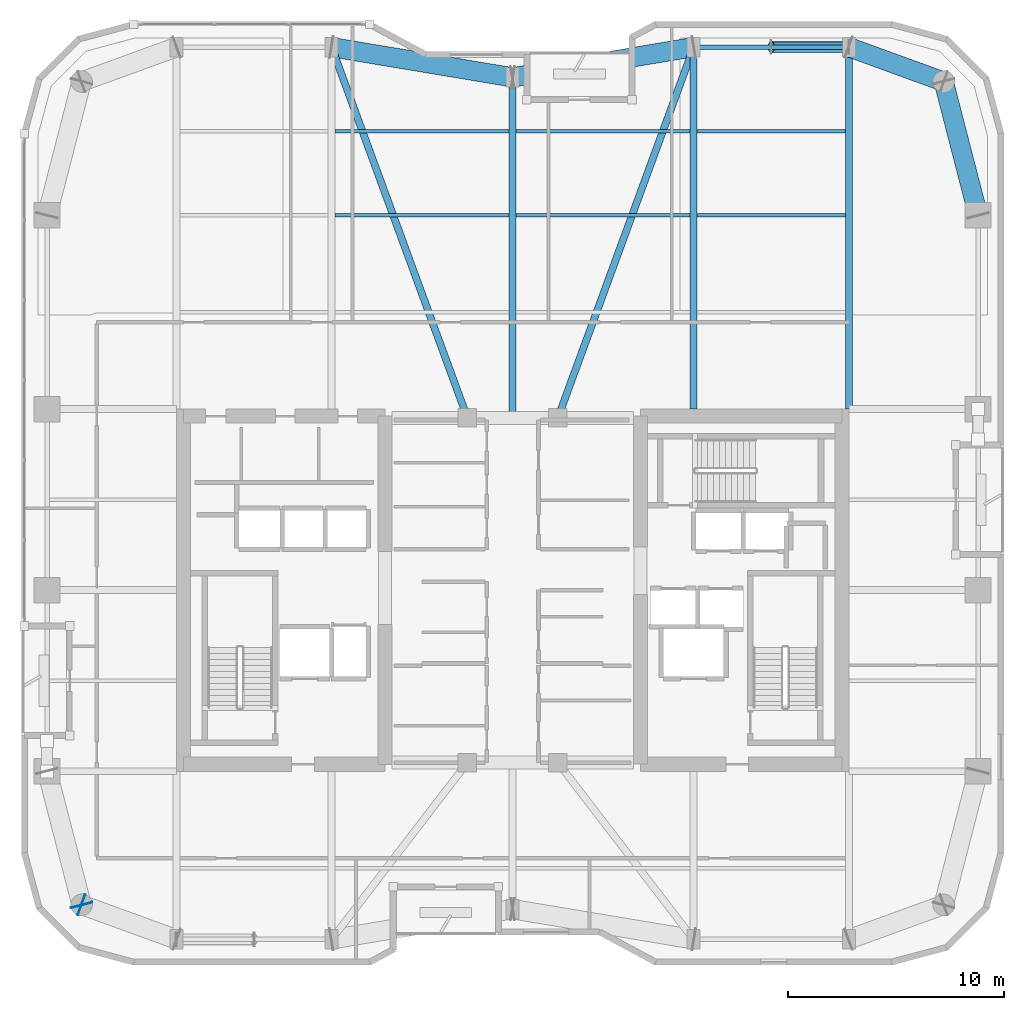
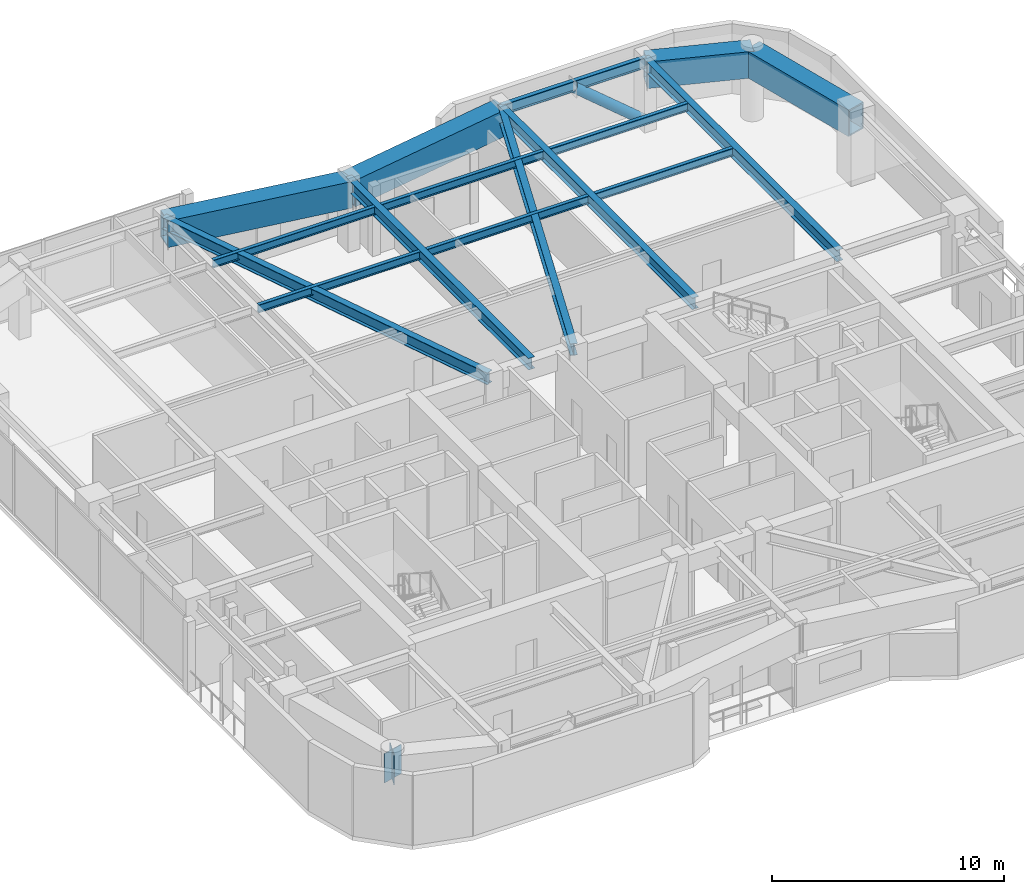
# One storey, part 11 of 21: 16 beams, 2 plates, 1 member.
"""IFC4 building model written with IfcOpenShell, lengths in metres."""

from ifc_helpers import new_model, si_unit, direction, frame, origin, origin_2d, place, context, subcontext, project, spatial, rectangle, hollow_rectangle, hollow_circle, i_section, extrude, material, layer, layer_set, material_profile, profile_set, type_object, element, save


model = new_model("IFC4")

# Units and contexts
model_context = context("Model", 3, precision=1e-05, world=origin(), true_north=direction((0.0, 1.0)))
body_context = subcontext(model_context, "Body", "Model", "MODEL_VIEW")
ifc_project = project(units=[si_unit("LENGTHUNIT", "METRE"), si_unit("AREAUNIT", "SQUARE_METRE"), si_unit("VOLUMEUNIT", "CUBIC_METRE"), si_unit("PLANEANGLEUNIT", "RADIAN"), si_unit("MASSUNIT", "GRAM", prefix="KILO")], contexts=[model_context])

# Site, building, storey
site_placement = place(None, origin())
site = spatial("IfcSite", under=ifc_project, at=site_placement, CompositionType="ELEMENT")
building_placement = place(site_placement, origin())
building = spatial("IfcBuilding", under=site, at=building_placement, Name="Kiyonajd Concourse Tower", CompositionType="ELEMENT")
storey_placement = place(building_placement, frame((0.0, 0.0, 219.300048828125)))
storey = spatial("IfcBuildingStorey", under=building, at=storey_placement, Name="L55", CompositionType="ELEMENT", Elevation=219.300048828125)

# Beams
ifc_material_1 = material(Name="Steel ASTM A992 Grade 50", Category="steel")
ifc_material_profile_1 = material_profile(ifc_material_1, i_section(OverallWidth=0.180908203125, OverallDepth=0.4169921875, WebThickness=0.010986328125, FlangeThickness=0.018310546875, at=origin_2d()), Name="W410X85")
ifc_profile_set_1 = profile_set([ifc_material_profile_1], Name="Steel ASTM A992 Grade 50")
beam_type_1 = type_object("IfcBeamType", Name="BM-JST-410", PredefinedType="JOIST", material=ifc_profile_set_1)
for number, where, z_axis, x_axis, name in (
    (1, (39.761962890625, 53.39990234375, 3.471435546875), (1.0, 0.0, 0.0), (0.0, 1.0, 0.0), "L55 Secondary Floor Joist"),
    (2, (48.162109375, 53.39990234375, 3.471435546875), (1.0, 0.0, 0.0), (0.0, 1.0, 0.0), "L55 Secondary Floor Joist"),
):
    element("IfcBeam", number, at=place(storey_placement, frame(where, z_axis=z_axis, x_axis=x_axis)), inside=storey, type_object=beam_type_1, Name=name, PredefinedType="JOIST", context=body_context, shape_type="SweptSolid", body=[
        extrude(i_section(OverallWidth=0.180908203125, OverallDepth=0.4169921875, WebThickness=0.010986328125, FlangeThickness=0.018310546875, at=origin_2d()), origin(), (0.0, 0.0, 1.0), 8.075927734375),
    ])
beam_1_placement = place(storey_placement, frame((56.56201171875, 53.39990234375, 3.471435546875), z_axis=(1.0, 0.0, 0.0), x_axis=(0.0, 1.0, 0.0)))
element("IfcBeam", 3, at=beam_1_placement, inside=storey, type_object=beam_type_1, Name="L55 Secondary Floor Joist", PredefinedType="JOIST", context=body_context, shape_type="SweptSolid", body=[
    extrude(i_section(OverallWidth=0.180908203125, OverallDepth=0.4169921875, WebThickness=0.010986328125, FlangeThickness=0.018310546875, at=origin_2d()), origin(), (0.0, 0.0, 1.0), 6.8759765625),
])
for number, where, z_axis, x_axis, name in (
    (4, (39.761962890625, 57.300048828125, 3.471435546875), (1.0, 0.0, 0.0), (0.0, 1.0, 0.0), "L55 Secondary Floor Joist"),
    (5, (48.162109375, 57.300048828125, 3.471435546875), (1.0, 0.0, 0.0), (0.0, 1.0, 0.0), "L55 Secondary Floor Joist"),
):
    element("IfcBeam", number, at=place(storey_placement, frame(where, z_axis=z_axis, x_axis=x_axis)), inside=storey, type_object=beam_type_1, Name=name, PredefinedType="JOIST", context=body_context, shape_type="SweptSolid", body=[
        extrude(i_section(OverallWidth=0.180908203125, OverallDepth=0.4169921875, WebThickness=0.010986328125, FlangeThickness=0.018310546875, at=origin_2d()), origin(), (0.0, 0.0, 1.0), 8.075927734375),
    ])
beam_2_placement = place(storey_placement, frame((56.56201171875, 57.300048828125, 3.471435546875), z_axis=(1.0, 0.0, 0.0), x_axis=(0.0, 1.0, 0.0)))
element("IfcBeam", 6, at=beam_2_placement, inside=storey, type_object=beam_type_1, Name="L55 Secondary Floor Joist", PredefinedType="JOIST", context=body_context, shape_type="SweptSolid", body=[
    extrude(i_section(OverallWidth=0.180908203125, OverallDepth=0.4169921875, WebThickness=0.010986328125, FlangeThickness=0.018310546875, at=origin_2d()), origin(), (0.0, 0.0, 1.0), 6.8759765625),
])
ifc_material_profile_2 = material_profile(ifc_material_1, i_section(OverallWidth=0.214111328125, OverallDepth=0.549072265625, WebThickness=0.0146484375, FlangeThickness=0.023681640625, at=origin_2d()), Name="W530X138")
ifc_profile_set_2 = profile_set([ifc_material_profile_2], Name="Steel ASTM A992 Grade 50")
beam_type_2 = type_object("IfcBeamType", Name="BM-SPAN-530A", PredefinedType="SPANDREL", material=ifc_profile_set_2)
beam_3_placement = place(storey_placement, frame((63.60009765625, 61.199951171875, 3.405517578125), z_axis=(-1.0, 0.0, 0.0), x_axis=(0.0, -1.0, 0.0)))
element("IfcBeam", 7, at=beam_3_placement, inside=storey, type_object=beam_type_2, Name="L55 Perimeter Bundled Tube Spandrel", PredefinedType="SPANDREL", context=body_context, shape_type="SweptSolid", body=[
    extrude(i_section(OverallWidth=0.214111328125, OverallDepth=0.549072265625, WebThickness=0.0146484375, FlangeThickness=0.023681640625, at=origin_2d()), origin(), (0.0, 0.0, 1.0), 7.2001953125),
])
ifc_material_profile_3 = material_profile(ifc_material_1, i_section(OverallWidth=0.326904296875, OverallDepth=0.6220703125, WebThickness=0.015380859375, FlangeThickness=0.0244140625, at=origin_2d()), Name="W610X195")
ifc_profile_set_3 = profile_set([ifc_material_profile_3], Name="Steel ASTM A992 Grade 50")
beam_type_3 = type_object("IfcBeamType", Name="BM-TWR-610A", PredefinedType="BEAM", material=ifc_profile_set_3)
for number, where, z_axis, x_axis, name in (
    (8, (39.60009765625, 61.199951171875, 3.368896484375), (0.343925269715, -0.938997022813, 0.0), (0.938997022813, 0.343925269715, 0.0), "L55 Core Tie Girder"),
    (9, (50.10009765625, 44.0, 3.368896484375), (0.343925269715, 0.938997022813, 0.0), (-0.938997022813, 0.343925269715, 0.0), "L55 Core Tie Girder"),
):
    element("IfcBeam", number, at=place(storey_placement, frame(where, z_axis=z_axis, x_axis=x_axis)), inside=storey, type_object=beam_type_3, Name=name, PredefinedType="BEAM", context=body_context, shape_type="SweptSolid", body=[
        extrude(i_section(OverallWidth=0.326904296875, OverallDepth=0.6220703125, WebThickness=0.015380859375, FlangeThickness=0.0244140625, at=origin_2d()), origin(), (0.0, 0.0, 1.0), 18.3173828125),
    ])
ifc_material_profile_4 = material_profile(ifc_material_1, i_section(OverallWidth=0.323974609375, OverallDepth=0.611083984375, WebThickness=0.0126953125, FlangeThickness=0.01904296875, at=origin_2d()), Name="W610X155")
ifc_profile_set_4 = profile_set([ifc_material_profile_4], Name="Steel ASTM A992 Grade 50")
beam_type_4 = type_object("IfcBeamType", Name="BM-TWR-610B", PredefinedType="BEAM", material=ifc_profile_set_4)
for number, where, z_axis, x_axis, name in (
    (10, (56.39990234375, 44.39990234375, 3.37451171875), (0.0, 1.0, 0.0), (-1.0, 0.0, 0.0), "L55 North Lease Girder"),
    (11, (63.60009765625, 44.39990234375, 3.37451171875), (0.0, 1.0, 0.0), (-1.0, 0.0, 0.0), "L55 North Lease Girder"),
):
    element("IfcBeam", number, at=place(storey_placement, frame(where, z_axis=z_axis, x_axis=x_axis)), inside=storey, type_object=beam_type_4, Name=name, PredefinedType="BEAM", context=body_context, shape_type="SweptSolid", body=[
        extrude(i_section(OverallWidth=0.323974609375, OverallDepth=0.611083984375, WebThickness=0.0126953125, FlangeThickness=0.01904296875, at=origin_2d()), origin(), (0.0, 0.0, 1.0), 16.800048828125),
    ])
beam_4_placement = place(storey_placement, frame((48.0, 44.0, 3.37451171875), z_axis=(0.0, 1.0, 0.0), x_axis=(-1.0, 0.0, 0.0)))
element("IfcBeam", 12, at=beam_4_placement, inside=storey, type_object=beam_type_4, Name="L55 North Ribbon Girder", PredefinedType="BEAM", context=body_context, shape_type="SweptSolid", body=[
    extrude(i_section(OverallWidth=0.323974609375, OverallDepth=0.611083984375, WebThickness=0.0126953125, FlangeThickness=0.01904296875, at=origin_2d()), origin(), (0.0, 0.0, 1.0), 15.800048828125),
])
ifc_material_2 = material(Name="Steel ASTM A572 Grade 50", Category="steel")
ifc_material_profile_5 = material_profile(ifc_material_2, hollow_rectangle(XDim=0.89990234375, YDim=1.39990234375, WallThickness=0.070068359375, at=origin_2d()), Name="BOX-1400x900x70")
ifc_profile_set_5 = profile_set([ifc_material_profile_5], Name="Steel ASTM A572 Grade 50")
beam_type_5 = type_object("IfcBeamType", Name="BM-XFER-1400", PredefinedType="BEAM", material=ifc_profile_set_5)
beam_5_placement = place(storey_placement, frame((69.60009765625, 53.39990234375, 2.97998046875), z_axis=(-0.249884937687, 0.968275538221, 0.0), x_axis=(-0.968275538221, -0.249884937687, 0.0)))
element("IfcBeam", 13, at=beam_5_placement, inside=storey, type_object=beam_type_5, Name="L55 Perimeter Bundled Tube Spandrel", PredefinedType="BEAM", context=body_context, shape_type="SweptSolid", body=[
    extrude(hollow_rectangle(XDim=0.89990234375, YDim=1.39990234375, WallThickness=0.070068359375, at=origin_2d()), origin(), (0.0, 0.0, 1.0), 6.4033203125),
])
beam_6_placement = place(storey_placement, frame((68.0, 59.60009765625, 2.97998046875), z_axis=(-0.939801036019, 0.341722127901, 0.0), x_axis=(-0.341722127901, -0.939801036019, 0.0)))
element("IfcBeam", 14, at=beam_6_placement, inside=storey, type_object=beam_type_5, Name="L55 Perimeter Bundled Tube Spandrel", PredefinedType="BEAM", context=body_context, shape_type="SweptSolid", body=[
    extrude(hollow_rectangle(XDim=0.89990234375, YDim=1.39990234375, WallThickness=0.070068359375, at=origin_2d()), origin(), (0.0, 0.0, 1.0), 4.681640625),
])
for number, where, z_axis, x_axis, name in (
    (15, (56.39990234375, 61.199951171875, 2.97998046875), (-0.986395473479, -0.164389689151, 0.0), (0.164389689151, -0.986395473479, 0.0), "L55 Perimeter Bundled Tube Spandrel"),
    (16, (48.0, 59.800048828125, 2.97998046875), (-0.986395473479, 0.164389689151, 0.0), (-0.164389689151, -0.986395473479, 0.0), "L55 Perimeter Bundled Tube Spandrel"),
):
    element("IfcBeam", number, at=place(storey_placement, frame(where, z_axis=z_axis, x_axis=x_axis)), inside=storey, type_object=beam_type_5, Name=name, PredefinedType="BEAM", context=body_context, shape_type="SweptSolid", body=[
        extrude(hollow_rectangle(XDim=0.89990234375, YDim=1.39990234375, WallThickness=0.070068359375, at=origin_2d()), origin(), (0.0, 0.0, 1.0), 8.515869140625),
    ])

# Member
ifc_material_3 = material(Name="Steel ASTM A500 Grade C", Category="steel")
ifc_material_profile_6 = material_profile(ifc_material_3, hollow_circle(Radius=0.25390625, WallThickness=0.02197265625, at=origin_2d()), Name="CHS-508x22")
ifc_profile_set_6 = profile_set([ifc_material_profile_6], Name="Steel ASTM A500 Grade C")
member_type = type_object("IfcMemberType", Name="MB-PB-MID", PredefinedType="BRACE", material=ifc_profile_set_6)
member_placement = place(storey_placement, frame((63.60009765625, 61.199951171875, 0.300048828125), z_axis=(-0.765107605277, 0.0, 0.643902440085), x_axis=(0.0, -1.0, 0.0)))
element("IfcMember", 17, at=member_placement, inside=storey, type_object=member_type, Name="L55 Upper Zone Hollow Tube Brace PBN", PredefinedType="BRACE", context=body_context, shape_type="SweptSolid", body=[
    extrude(hollow_circle(Radius=0.25390625, WallThickness=0.02197265625, at=origin_2d()), origin(), (0.0, 0.0, 1.0), 4.705322265625),
])

# Plates
ifc_layer = layer(ifc_material_2, 0.031982421875)
ifc_layer_set = layer_set([ifc_layer], Name="Steel ASTM A572 Grade 50")
plate_type = type_object("IfcPlateType", Name="PL-CAP-540", PredefinedType="USERDEFINED", material=ifc_layer_set)
for number, where, z_axis, x_axis, name in (
    (18, (28.002685546875, 21.389404296875, 2.2099609375), (0.0, 0.0, 1.0), (0.249873048837, -0.968278606324, 0.0), "L55 Welded Box Girder End Cap"),
    (19, (27.98974609375, 21.40380859375, 2.2099609375), (0.0, 0.0, 1.0), (-0.939811951086, 0.341692107891, 0.0), "L55 Welded Box Girder End Cap"),
):
    element("IfcPlate", number, at=place(storey_placement, frame(where, z_axis=z_axis, x_axis=x_axis)), inside=storey, type_object=plate_type, Name=name, ObjectType="CAP PLATE", PredefinedType="USERDEFINED", context=body_context, shape_type="SweptSolid", body=[
        extrude(rectangle(XDim=0.035888671875, YDim=1.02001953125, at=origin_2d()), origin(), (0.0, 0.0, 1.0), 1.5400390625),
    ])

save(model, "model.ifc")
